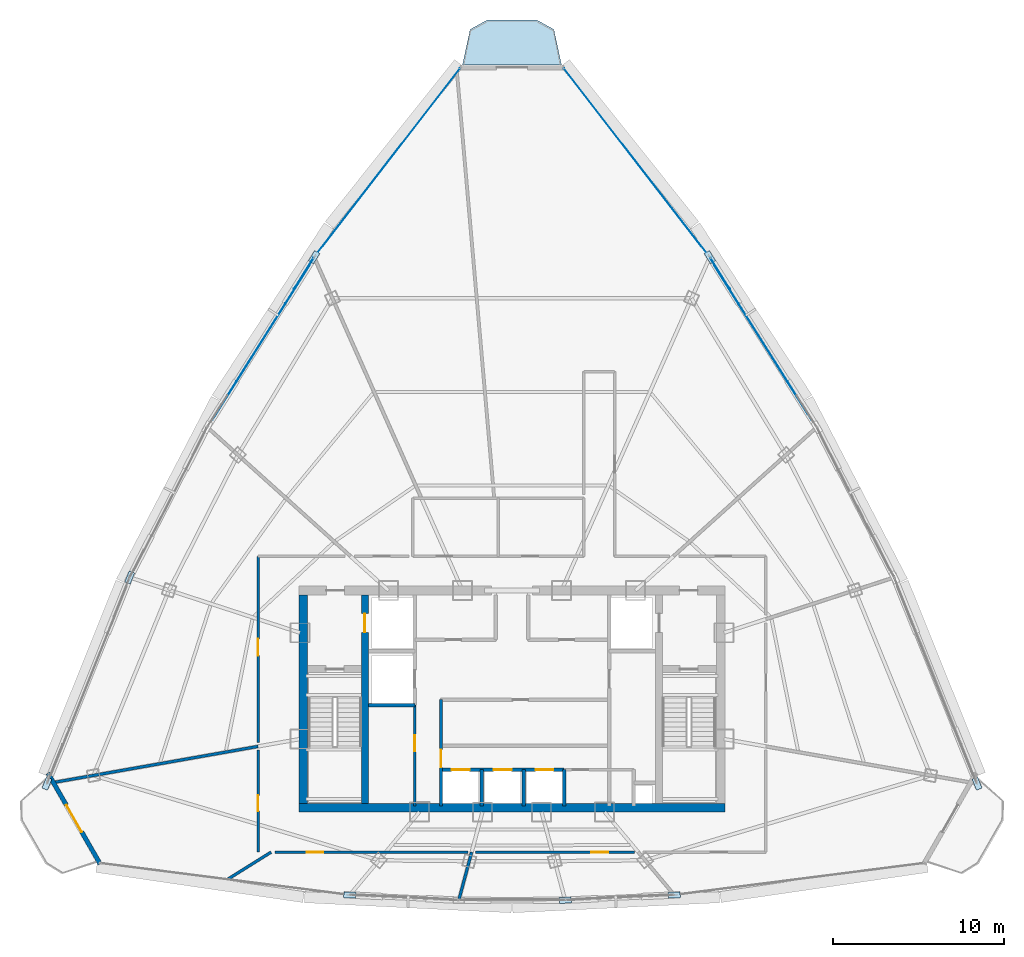
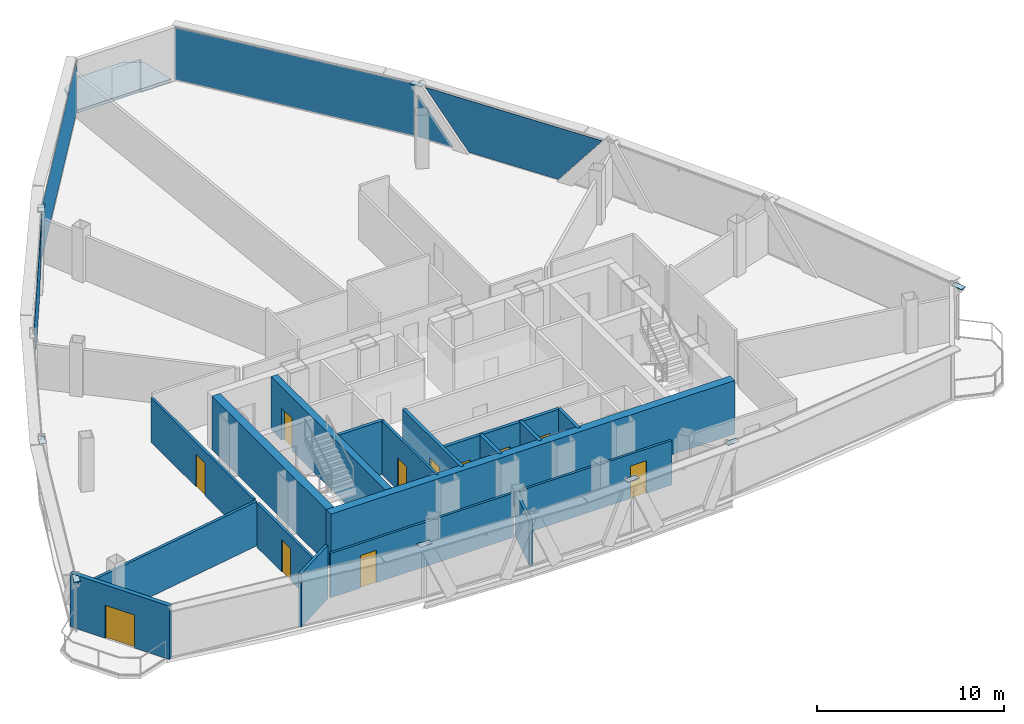
# One storey, part 25 of 30: 18 walls, 14 plates, 11 doors, 1 slab, 11 openings, 4 elements without a shape of their own.
"""IFC4 building model written with IfcOpenShell, lengths in metres."""

import ifcopenshell
import ifcopenshell.guid

model = None  # the IFC model being written
_history = None  # IfcOwnerHistory: only IFC2X3 demands one
_inside = {}  # id of a spatial element -> (the spatial element, [elements in it])
_under = {}  # id of a project, library or spatial element -> (it, [spatial elements below it])
_declared = {}  # id of a project -> (the project, [libraries it declares])
_typed = {}  # id of a type object -> (the type object, [elements of that type])
_made_of = {}  # id of a material, layer set ... -> (it, [elements and type objects made of it])


def new_model(schema):
    """Start an empty IFC model of exactly this schema.

    Asked for "IFC4X3", IfcOpenShell would pick the latest addendum, in which some entities
    have other attributes; the version numbers below select the first issue.
    IFC2X3 requires an IfcOwnerHistory on every rooted entity: one is made here for all.
    """
    global model, _history
    if schema == "IFC4X3":
        model = ifcopenshell.file(schema_version=(4, 3, 0, 0))
    else:
        model = ifcopenshell.file(schema=schema)
    _inside.clear()
    _under.clear()
    _declared.clear()
    _typed.clear()
    _made_of.clear()
    _history = None
    if model.schema == "IFC2X3":
        org = make("IfcOrganization", Name="unknown")
        user = make(
            "IfcPersonAndOrganization",
            ThePerson=make("IfcPerson", FamilyName="unknown"),
            TheOrganization=org,
        )
        app = make(
            "IfcApplication",
            ApplicationDeveloper=org,
            Version="unknown",
            ApplicationFullName="unknown",
            ApplicationIdentifier="unknown",
        )
        _history = make(
            "IfcOwnerHistory",
            OwningUser=user,
            OwningApplication=app,
            ChangeAction="ADDED",
            CreationDate=0,
        )
    return model


def make(cls, **values):
    """One entity of the class cls with the attributes given. An attribute that is None is left unset."""
    return model.create_entity(
        cls, **{name: value for name, value in values.items() if value is not None}
    )


def rooted(cls, **values):
    """An entity with a GlobalId (a new one), such as an element, a storey or a relation."""
    return make(cls, GlobalId=ifcopenshell.guid.new(), OwnerHistory=_history, **values)


def si_unit(unit_type, name, prefix=None):
    """IfcSIUnit, for example si_unit("LENGTHUNIT", "METRE", prefix="MILLI")."""
    return make("IfcSIUnit", UnitType=unit_type, Prefix=prefix, Name=name)


def assignment(units):
    """IfcUnitAssignment: the units of a project."""
    return None if units is None else make("IfcUnitAssignment", Units=units)


def point(xyz):
    """IfcCartesianPoint."""
    return None if xyz is None else make("IfcCartesianPoint", Coordinates=xyz)


def direction(xyz):
    """IfcDirection."""
    return None if xyz is None else make("IfcDirection", DirectionRatios=xyz)


def frame(location, z_axis=None, x_axis=None):
    """IfcAxis2Placement3D, a coordinate frame: its origin and axes. An axis left out is left unset."""
    return make(
        "IfcAxis2Placement3D",
        Location=point(location),
        Axis=direction(z_axis),
        RefDirection=direction(x_axis),
    )


def frame_2d(location, x_axis=None):
    """IfcAxis2Placement2D, a coordinate frame in the plane: its origin and x axis."""
    return make(
        "IfcAxis2Placement2D", Location=point(location), RefDirection=direction(x_axis)
    )


def origin():
    """The frame at (0, 0, 0) with its axes left unset."""
    return frame((0.0, 0.0, 0.0))


def origin_with_axes():
    """The frame at (0, 0, 0) with the z axis (0, 0, 1) and the x axis (1, 0, 0) written out."""
    return frame((0.0, 0.0, 0.0), z_axis=(0.0, 0.0, 1.0), x_axis=(1.0, 0.0, 0.0))


def origin_2d():
    """The frame at (0, 0) in the plane with its x axis left unset."""
    return frame_2d((0.0, 0.0))


def place(relative_to, where):
    """IfcLocalPlacement: puts the frame where relative to a parent placement (None: the world)."""
    return make(
        "IfcLocalPlacement", PlacementRelTo=relative_to, RelativePlacement=where
    )


def context(
    kind, dimensions, precision=None, world=None, true_north=None, identifier=None
):
    """IfcGeometricRepresentationContext, for example the 3D "Model" context."""
    return make(
        "IfcGeometricRepresentationContext",
        ContextIdentifier=identifier,
        ContextType=kind,
        CoordinateSpaceDimension=dimensions,
        Precision=precision,
        WorldCoordinateSystem=world,
        TrueNorth=true_north,
    )


def subcontext(parent, identifier, kind, view, scale=None):
    """IfcGeometricRepresentationSubContext, for example "Body" below "Model"."""
    return make(
        "IfcGeometricRepresentationSubContext",
        ContextIdentifier=identifier,
        ContextType=kind,
        ParentContext=parent,
        TargetScale=scale,
        TargetView=view,
    )


def project(units=None, contexts=None):
    """IfcProject with its units and contexts."""
    return rooted(
        "IfcProject",
        Name="project",
        RepresentationContexts=contexts,
        UnitsInContext=assignment(units),
    )


def spatial(cls, under=None, at=None, **own):
    """A site, building, storey or space (cls), placed at a placement, below another one or the project."""
    s = rooted(cls, ObjectPlacement=at, **own)
    if under is not None:
        _under.setdefault(under.id(), (under, []))[1].append(s)
    return s


def polyline(points):
    """IfcPolyline through the points."""
    return make("IfcPolyline", Points=[point(p) for p in points])


def profile(cls, at=None, kind="AREA", **sizes):
    """A parametric profile (cls). Its sizes go by their IFC names, for example OverallWidth=200.0."""
    return make(cls, ProfileType=kind, Position=at, **sizes)


def rectangle(**sizes):
    """IfcRectangleProfileDef."""
    return profile("IfcRectangleProfileDef", **sizes)


def outline(outer, holes=None, kind="AREA"):
    """IfcArbitraryClosedProfileDef: a profile drawn as a closed curve; with holes, ...WithVoids."""
    if holes is None:
        return make("IfcArbitraryClosedProfileDef", ProfileType=kind, OuterCurve=outer)
    return make(
        "IfcArbitraryProfileDefWithVoids",
        ProfileType=kind,
        OuterCurve=outer,
        InnerCurves=holes,
    )


def extrude(swept, where, along, depth):
    """IfcExtrudedAreaSolid: the profile swept, set in the frame where, extruded along a direction by depth."""
    return make(
        "IfcExtrudedAreaSolid",
        SweptArea=swept,
        Position=where,
        ExtrudedDirection=direction(along),
        Depth=depth,
    )


def shape(context_of_items, identifier, shape_type, items):
    """IfcShapeRepresentation: the items that make up one representation, for example the "Body"."""
    return make(
        "IfcShapeRepresentation",
        ContextOfItems=context_of_items,
        RepresentationIdentifier=identifier,
        RepresentationType=shape_type,
        Items=items,
    )


def source(mapping_origin, context_of_items, identifier, shape_type, items):
    """IfcRepresentationMap: a shape defined once, which mapped items show again and again."""
    return make(
        "IfcRepresentationMap",
        MappingOrigin=mapping_origin,
        MappedRepresentation=shape(context_of_items, identifier, shape_type, items),
    )


def transform(
    local_origin,
    x_axis=None,
    y_axis=None,
    z_axis=None,
    scale=None,
    scale2=None,
    scale3=None,
    uniform=True,
):
    """IfcCartesianTransformationOperator3D, or its non-uniform kind. x_axis, y_axis, z_axis: its Axis1, 2, 3."""
    if uniform:
        return make(
            "IfcCartesianTransformationOperator3D",
            Axis1=direction(x_axis),
            Axis2=direction(y_axis),
            LocalOrigin=point(local_origin),
            Scale=scale,
            Axis3=direction(z_axis),
        )
    return make(
        "IfcCartesianTransformationOperator3DnonUniform",
        Axis1=direction(x_axis),
        Axis2=direction(y_axis),
        LocalOrigin=point(local_origin),
        Scale=scale,
        Axis3=direction(z_axis),
        Scale2=scale2,
        Scale3=scale3,
    )


def mapped(mapping_source, mapping_target):
    """IfcMappedItem: shows the shape of a source again, moved by a transform."""
    return make(
        "IfcMappedItem", MappingSource=mapping_source, MappingTarget=mapping_target
    )


def material(Name=None, Category=None):
    """IfcMaterial."""
    return make("IfcMaterial", Name=Name, Category=Category)


def layer(
    of_material, thickness, ventilated=None, Name=None, Category=None, Priority=None
):
    """IfcMaterialLayer: one layer of a wall or slab, of a material (None: an air gap)."""
    return make(
        "IfcMaterialLayer",
        Material=of_material,
        LayerThickness=thickness,
        IsVentilated=ventilated,
        Name=Name,
        Category=Category,
        Priority=Priority,
    )


def layer_set(layers, Name=None):
    """IfcMaterialLayerSet."""
    return make("IfcMaterialLayerSet", MaterialLayers=layers, LayerSetName=Name)


def made_of(thing, what):
    """Note that an element or type object is made of a material, layer set ...; save() writes the relation."""
    if what is not None:
        _made_of.setdefault(what.id(), (what, []))[1].append(thing)
    return thing


def type_object(cls, material=None, **own):
    """A type object (cls), such as IfcWallType, which elements share."""
    return made_of(rooted(cls, **own), material)


def element(
    cls,
    number,
    at=None,
    inside=None,
    cuts=None,
    type_object=None,
    material=None,
    context=None,
    identifier="Body",
    shape_type=None,
    held_by="IfcProductDefinitionShape",
    body=None,
    shapes=None,
    **own,
):
    """One element of the class cls, such as IfcWall. Its Tag is "e" and its number.

    at: its placement. inside: the storey or other place that contains it. cuts: it is an
    opening in that element (IfcRelVoidsElement). A single representation is given by context,
    identifier, shape_type and body (its items); several are given by shapes. held_by: the class
    of the entity that holds the representations. save() writes the other relations.
    """
    e = rooted(cls, Tag="e%d" % number, ObjectPlacement=at, **own)
    if body is not None:
        shapes = [shape(context, identifier, shape_type, body)]
    if shapes is not None:
        e.Representation = make(held_by, Representations=shapes)
    if inside is not None:
        _inside.setdefault(inside.id(), (inside, []))[1].append(e)
    if cuts is not None:
        rooted(
            "IfcRelVoidsElement", RelatingBuildingElement=cuts, RelatedOpeningElement=e
        )
    if type_object is not None:
        _typed.setdefault(type_object.id(), (type_object, []))[1].append(e)
    return made_of(e, material)


def fill(opening, filler):
    """IfcRelFillsElement: the door or window that sits in an opening."""
    return rooted(
        "IfcRelFillsElement",
        RelatingOpeningElement=opening,
        RelatedBuildingElement=filler,
    )


def aggregate(whole, parts):
    """IfcRelAggregates: a whole, such as a stair, and the parts it consists of."""
    return rooted("IfcRelAggregates", RelatingObject=whole, RelatedObjects=parts)


def save(model, path):
    """Write the relations noted so far, then the file.

    IfcRelAggregates (storeys below a building ...), IfcRelContainedInSpatialStructure (elements
    in a storey), IfcRelDefinesByType, IfcRelAssociatesMaterial and IfcRelDeclares: one each for
    every whole, place, type object, material and project.
    """
    for whole, parts in _under.values():
        aggregate(whole, parts)
    for where, things in _inside.values():
        rooted(
            "IfcRelContainedInSpatialStructure",
            RelatedElements=things,
            RelatingStructure=where,
        )
    for kind, things in _typed.values():
        rooted("IfcRelDefinesByType", RelatedObjects=things, RelatingType=kind)
    for what, things in _made_of.values():
        rooted("IfcRelAssociatesMaterial", RelatedObjects=things, RelatingMaterial=what)
    for by, libraries in _declared.values():
        rooted("IfcRelDeclares", RelatingContext=by, RelatedDefinitions=libraries)
    model.write(path)


model = new_model("IFC4")

# Units and contexts
model_context = context("Model", 3, precision=1e-05, world=origin(), true_north=direction((0.0, 1.0)))
body_context = subcontext(model_context, "Body", "Model", "MODEL_VIEW")
ifc_project = project(units=[si_unit("LENGTHUNIT", "METRE"), si_unit("AREAUNIT", "SQUARE_METRE"), si_unit("VOLUMEUNIT", "CUBIC_METRE"), si_unit("PLANEANGLEUNIT", "RADIAN"), si_unit("MASSUNIT", "GRAM", prefix="KILO"), si_unit("THERMODYNAMICTEMPERATUREUNIT", "KELVIN"), si_unit("POWERUNIT", "WATT")], contexts=[model_context])

# Site, building, storey
site_placement = place(None, origin())
site = spatial("IfcSite", under=ifc_project, at=site_placement, CompositionType="ELEMENT")
building_placement = place(site_placement, origin())
building = spatial("IfcBuilding", under=site, at=building_placement, Name="Yunzhuo Pagoda Commons", CompositionType="ELEMENT")
storey_placement = place(building_placement, frame((0.0, 0.0, 348.010009765625)))
storey = spatial("IfcBuildingStorey", under=building, at=storey_placement, Name="L87", CompositionType="ELEMENT", Elevation=348.010009765625)

# Curtain wall, plates
ifc_material_1 = material(Name="Anodized aluminium 6063-T6", Category="aluminium")
ifc_layer_1 = layer(ifc_material_1, 0.139892578125)
ifc_layer_set_1 = layer_set([ifc_layer_1], Name="Anodized aluminium 6063-T6")
curtain_wall_type = type_object("IfcCurtainWallType", Name="CW-HI High-Zone Ribbon Curtain Wall", PredefinedType="NOTDEFINED", material=ifc_layer_set_1)
curtain_wall_1_placement = place(storey_placement, origin())
curtain_wall_1 = element("IfcCurtainWall", 1, at=curtain_wall_1_placement, inside=storey, type_object=curtain_wall_type, Name="L87 curtain wall CW-L87-F2B4", PredefinedType="NOTDEFINED")
ifc_material_2 = material(Name="Tempered low-e double glazing", Category="glass")
ifc_layer_2 = layer(ifc_material_2, 0.02587890625)
ifc_layer_set_2 = layer_set([ifc_layer_2], Name="Tempered low-e double glazing")
plate_type_1 = type_object("IfcPlateType", Name="CW-HI-P Low-E Double Glazing 26", PredefinedType="CURTAIN_PANEL", material=ifc_layer_set_2)
plate_1_placement = place(storey_placement, frame((62.6611328125, 54.69677734375, 1.744873046875), z_axis=(0.846524621891, 0.532349569861, 0.0), x_axis=(-0.532349569861, 0.846524621891, 0.0)))
plate_1 = element("IfcPlate", 2, at=plate_1_placement, type_object=plate_type_1, Name="CW panel 1.1 lite 2", PredefinedType="CURTAIN_PANEL", context=body_context, shape_type="SweptSolid", body=[
    extrude(outline(polyline([(-5.3466796875, 1.68994140625), (-2.7001953125, -1.68994140625), (2.7001953125, -1.68994140625), (5.3466796875, 1.68994140625), (-5.3466796875, 1.68994140625)])), origin(), (0.0, 0.0, 1.0), 0.028076171875),
])
plate_2_placement = place(storey_placement, frame((60.16357421875, 58.724365234375, 1.426025390625), z_axis=(0.846524621891, 0.532349569861, 0.0), x_axis=(-0.532349569861, 0.846524621891, 0.0)))
plate_2 = element("IfcPlate", 3, at=plate_2_placement, type_object=plate_type_1, Name="CW panel 1.1 lite 3", PredefinedType="CURTAIN_PANEL", context=body_context, shape_type="SweptSolid", body=[
    extrude(outline(polyline([(-1.073486328125, -1.37109375), (1.073486328125, -1.37109375), (1.073486328125, 1.37109375), (-1.073486328125, -1.37109375)])), origin(), (0.0, 0.0, 1.0), 0.028076171875),
])
aggregate(curtain_wall_1, [plate_1, plate_2])

curtain_wall_2_placement = place(storey_placement, origin())
curtain_wall_2 = element("IfcCurtainWall", 4, at=curtain_wall_2_placement, inside=storey, type_object=curtain_wall_type, Name="L87 curtain wall CW-L87-F3B2", PredefinedType="NOTDEFINED")
plate_3_placement = place(storey_placement, frame((35.83642578125, 58.724365234375, 1.426025390625), z_axis=(-0.846524621891, 0.532349569861, 0.0), x_axis=(-0.532349569861, -0.846524621891, 0.0)))
plate_3 = element("IfcPlate", 5, at=plate_3_placement, type_object=plate_type_1, Name="CW panel 1.1 lite 1", PredefinedType="CURTAIN_PANEL", context=body_context, shape_type="SweptSolid", body=[
    extrude(outline(polyline([(-1.073486328125, -1.37109375), (1.073486328125, -1.37109375), (-1.073486328125, 1.37109375), (-1.073486328125, -1.37109375)])), origin(), (0.0, 0.0, 1.0), 0.028076171875),
])
plate_4_placement = place(storey_placement, frame((33.3388671875, 54.69677734375, 1.744873046875), z_axis=(-0.846524621891, 0.532349569861, 0.0), x_axis=(-0.532349569861, -0.846524621891, 0.0)))
plate_4 = element("IfcPlate", 6, at=plate_4_placement, type_object=plate_type_1, Name="CW panel 1.1 lite 2", PredefinedType="CURTAIN_PANEL", context=body_context, shape_type="SweptSolid", body=[
    extrude(outline(polyline([(-5.3466796875, 1.68994140625), (-2.7001953125, -1.68994140625), (2.7001953125, -1.68994140625), (5.3466796875, 1.68994140625), (-5.3466796875, 1.68994140625)])), origin(), (0.0, 0.0, 1.0), 0.028076171875),
])
aggregate(curtain_wall_2, [plate_3, plate_4])

# Slab
ifc_material_3 = material(Name="Concrete C40", Category="concrete")
ifc_layer_3 = layer(ifc_material_3, 0.199951171875)
ifc_layer_set_3 = layer_set([ifc_layer_3], Name="Concrete C40")
slab_type = type_object("IfcSlabType", Name="SL-BAL Vertex Balcony Deck Slab 200", PredefinedType="FLOOR", material=ifc_layer_set_3)
slab_placement = place(storey_placement, frame((0.0, 0.0, -0.199951171875)))
element("IfcSlab", 7, at=slab_placement, inside=storey, type_object=slab_type, Name="L87 corner balcony V3", PredefinedType="FLOOR", context=body_context, shape_type="SweptSolid", body=[
    extrude(outline(polyline([(50.899169921875, 70.9140625), (45.100830078125, 70.9140625), (45.55078125, 73.009033203125), (46.55029296875, 73.55908203125), (49.44970703125, 73.55908203125), (50.44921875, 73.009033203125), (50.899169921875, 70.9140625)])), origin(), (0.0, 0.0, 1.0), 0.199951171875),
])

# Plates
ifc_material_4 = material(Name="Structural steel Q355B", Category="steel")
ifc_layer_4 = layer(ifc_material_4, 0.028076171875)
ifc_layer_set_4 = layer_set([ifc_layer_4], Name="Structural steel Q355B")
plate_type_2 = type_object("IfcPlateType", Name="SP-ND1 Lattice Node Cap Plate 800x500x28", PredefinedType="USERDEFINED", material=ifc_layer_set_4)
shared_shape_1 = source(origin(), body_context, "Body", "SweptSolid", [
    extrude(rectangle(XDim=0.699951171875, YDim=0.35009765625, at=origin_2d()), origin(), (0.0, 0.0, 1.0), 0.035888671875),
])
for number, where, z_axis, x_axis, name in (
    (8, (38.512451171875, 22.393310546875, 3.4521484375), (0.0, 0.0, 1.0), (0.998854240665, -0.047856095812, 0.0), "L87 setback lattice tie plate F1.1L"),
    (9, (51.111572265625, 22.087646484375, 3.4521484375), (0.0, 0.0, 1.0), (0.998854240665, 0.047856095812, 0.0), "L87 setback lattice tie plate F1.3L"),
    (10, (57.487548828125, 22.393310546875, 3.4521484375), (0.0, 0.0, 1.0), (0.998854240665, 0.047856095812, 0.0), "L87 setback lattice tie plate F1.3R"),
    (11, (75.193603515625, 28.905029296875, 3.4521484375), (0.0, 0.0, 1.0), (-0.372485720283, 0.928037923894, 0.0), "L87 setback lattice tie plate F2.1L"),
    (12, (59.572265625, 59.69140625, 3.4521484375), (0.0, 0.0, 1.0), (-0.532344492073, 0.846527815113, 0.0), "L87 setback lattice tie plate F2.3R"),
    (13, (36.427734375, 59.69140625, 3.4521484375), (0.0, 0.0, 1.0), (-0.532344492073, -0.846527815113, 0.0), "L87 setback lattice tie plate F3.1L"),
    (14, (25.646240234375, 40.963134765625, 3.4521484375), (0.0, 0.0, 1.0), (-0.372485720283, -0.928037923894, 0.0), "L87 setback lattice tie plate F3.3L"),
    (15, (20.806396484375, 28.905029296875, 3.4521484375), (0.0, 0.0, 1.0), (-0.372485720283, -0.928037923894, 0.0), "L87 setback lattice tie plate F3.3R"),
):
    element("IfcPlate", number, at=place(storey_placement, frame(where, z_axis=z_axis, x_axis=x_axis)), inside=storey, type_object=plate_type_2, Name=name, ObjectType="STIFFENER_PLATE", PredefinedType="USERDEFINED", context=body_context, shape_type="MappedRepresentation", body=[
        mapped(shared_shape_1, transform((0.0, 0.0, 0.0), scale=1.0)),
    ])

# Curtain wall, plate
curtain_wall_3_placement = place(storey_placement, origin())
curtain_wall_3 = element("IfcCurtainWall", 16, at=curtain_wall_3_placement, inside=storey, type_object=curtain_wall_type, Name="L87 curtain wall CW-L87-F2B5", PredefinedType="NOTDEFINED")
shared_shape_2 = source(origin(), body_context, "Body", "SweptSolid", [
    extrude(rectangle(XDim=13.823486328125, YDim=0.028076171875, at=origin_2d()), origin(), (0.0, 0.0, 1.0), 3.3798828125),
])
plate_5_placement = place(storey_placement, frame((55.26025390625, 65.264892578125, 0.054931640625), z_axis=(0.0, 0.0, 1.0), x_axis=(-0.611910329378, 0.790927145065, 0.0)))
plate_5 = element("IfcPlate", 17, at=plate_5_placement, type_object=plate_type_1, Name="CW panel 1.1", PredefinedType="CURTAIN_PANEL", context=body_context, shape_type="MappedRepresentation", body=[
    mapped(shared_shape_2, transform((0.0, 0.0, 0.0), scale=1.0)),
])
aggregate(curtain_wall_3, [plate_5])

curtain_wall_4_placement = place(storey_placement, origin())
curtain_wall_4 = element("IfcCurtainWall", 18, at=curtain_wall_4_placement, inside=storey, type_object=curtain_wall_type, Name="L87 curtain wall CW-L87-F3B1", PredefinedType="NOTDEFINED")
plate_6_placement = place(storey_placement, frame((40.73974609375, 65.264892578125, 0.054931640625), z_axis=(0.0, 0.0, 1.0), x_axis=(-0.611910329378, -0.790927145065, 0.0)))
plate_6 = element("IfcPlate", 19, at=plate_6_placement, type_object=plate_type_1, Name="CW panel 1.1", PredefinedType="CURTAIN_PANEL", context=body_context, shape_type="MappedRepresentation", body=[
    mapped(shared_shape_2, transform((0.0, 0.0, 0.0), scale=1.0)),
])
aggregate(curtain_wall_4, [plate_6])

# Wall, opening, door
ifc_material_5 = material(Name="Precast concrete C40", Category="concrete")
ifc_layer_5 = layer(ifc_material_5, 0.260009765625)
ifc_layer_set_5 = layer_set([ifc_layer_5], Name="Precast concrete C40")
wall_type_1 = type_object("IfcWallType", Name="W-BAL1 Corner Balcony Threshold Wall 260", PredefinedType="STANDARD", material=ifc_layer_set_5)
wall_1_placement = place(storey_placement, frame((20.865478515625, 29.521240234375, 0.0), z_axis=(0.0, 0.0, 1.0), x_axis=(0.49795859982, -0.867200803082, 0.0)))
wall_1 = element("IfcWall", 20, at=wall_1_placement, inside=storey, type_object=wall_type_1, Name="L87 corner balcony wall V1", PredefinedType="STANDARD", context=body_context, shape_type="SweptSolid", body=[
    extrude(rectangle(XDim=6.12255859375, YDim=0.260009765625, at=frame_2d((3.061279296875, 0.0))), origin(), (0.0, 0.0, 1.0), 3.489990234375),
])
opening_1_placement = place(wall_1_placement, frame((2.161376953125, 0.0, 0.0)))
opening_1 = element("IfcOpeningElement", 21, at=opening_1_placement, cuts=wall_1, Name="Opening D-BAL1", PredefinedType="OPENING", context=body_context, shape_type="SweptSolid", body=[
    extrude(rectangle(XDim=1.800048828125, YDim=2.14990234375, at=frame_2d((0.89990234375, 1.074951171875))), frame((0.0, 0.14013671875, 0.0), z_axis=(0.0, -1.0, 0.0), x_axis=(1.0, 0.0, 0.0)), (0.0, 0.0, 1.0), 0.280029296875),
])
ifc_material_6 = material(Name="Anodized aluminium frame and tempered glazed leaf", Category="aluminium")
door_type_1 = type_object("IfcDoorType", Name="D-BAL1 Corner Balcony Sliding Glazed Door 1800x2150", OperationType="DOUBLE_DOOR_SLIDING", PredefinedType="DOOR", material=ifc_material_6)
shared_shape_3 = source(origin(), body_context, "Body", "SweptSolid", [
    extrude(rectangle(XDim=1.800048828125, YDim=2.14990234375, at=frame_2d((0.89990234375, 1.074951171875))), frame((0.0, 0.02490234375, 0.0), z_axis=(0.0, -1.0, 0.0), x_axis=(1.0, 0.0, 0.0)), (0.0, 0.0, 1.0), 0.050048828125),
])
door_1_placement = place(opening_1_placement, origin_with_axes())
door_1 = element("IfcDoor", 22, at=door_1_placement, inside=storey, type_object=door_type_1, Name="L87 corner balcony sliding door V1", OperationType="DOUBLE_DOOR_SLIDING", OverallHeight=2.14990234375, OverallWidth=1.800048828125, PredefinedType="DOOR", context=body_context, shape_type="MappedRepresentation", body=[
    mapped(shared_shape_3, transform((0.0, 0.0, 0.0), scale=1.0)),
])
fill(opening_1, door_1)

# Walls
ifc_material_7 = material(Name="Concrete C50", Category="concrete")
ifc_layer_6 = layer(ifc_material_7, 0.5)
ifc_layer_set_6 = layer_set([ifc_layer_6], Name="Concrete C50")
wall_type_2 = type_object("IfcWallType", Name="W-C03 Upper Core Shear Wall 500", PredefinedType="SHEAR", material=ifc_layer_set_6)
wall_2_placement = place(storey_placement, frame((35.550048828125, 27.5, 0.0), z_axis=(0.0, 0.0, 1.0), x_axis=(1.0, 0.0, 0.0)))
element("IfcWall", 23, at=wall_2_placement, inside=storey, type_object=wall_type_2, Name="L87 core shear wall S", PredefinedType="SHEAR", context=body_context, shape_type="SweptSolid", body=[
    extrude(rectangle(XDim=24.89990234375, YDim=0.5, at=frame_2d((12.449951171875, 0.0))), origin(), (0.0, 0.0, 1.0), 3.489990234375),
])
wall_3_placement = place(storey_placement, frame((35.800048828125, 27.75, 0.0), z_axis=(0.0, 0.0, 1.0), x_axis=(0.0, 1.0, 0.0)))
element("IfcWall", 24, at=wall_3_placement, inside=storey, type_object=wall_type_2, Name="L87 core shear wall W", PredefinedType="SHEAR", context=body_context, shape_type="SweptSolid", body=[
    extrude(rectangle(XDim=12.199951171875, YDim=0.5, at=frame_2d((6.10009765625, 0.0))), origin(), (0.0, 0.0, 1.0), 3.489990234375),
])

# Wall, opening, door
ifc_material_8 = material(Name="Gypsum plasterboard on acoustic stud")
ifc_layer_7 = layer(ifc_material_8, 0.14990234375)
ifc_layer_set_7 = layer_set([ifc_layer_7], Name="Gypsum plasterboard on acoustic stud")
wall_type_3 = type_object("IfcWallType", Name="W-COR3 High-Zone Rated Corridor Wall 150", PredefinedType="PARTITIONING", material=ifc_layer_set_7)
wall_4_placement = place(storey_placement, frame((42.320068359375, 27.60009765625, 0.0), z_axis=(0.0, 0.0, 1.0), x_axis=(0.0, 1.0, 0.0)))
wall_4 = element("IfcWall", 25, at=wall_4_placement, inside=storey, type_object=wall_type_3, Name="L87 interior wall IW-L87-CSWE", PredefinedType="PARTITIONING", context=body_context, shape_type="SweptSolid", body=[
    extrude(rectangle(XDim=5.89990234375, YDim=0.14990234375, at=frame_2d((2.949951171875, 0.0))), origin(), (0.0, 0.0, 1.0), 3.489990234375),
])
opening_2_placement = place(wall_4_placement, frame((3.199951171875, 0.0, 0.0)))
opening_2 = element("IfcOpeningElement", 26, at=opening_2_placement, cuts=wall_4, Name="Opening D-11", PredefinedType="OPENING", context=body_context, shape_type="SweptSolid", body=[
    extrude(rectangle(XDim=0.93994140625, YDim=2.10009765625, at=frame_2d((0.469970703125, 1.050048828125))), frame((0.0, 0.0849609375, 0.0), z_axis=(0.0, -1.0, 0.0), x_axis=(1.0, 0.0, 0.0)), (0.0, 0.0, 1.0), 0.169921875),
])
ifc_material_9 = material(Name="Galvanized fire-resisting metal leaf")
door_type_2 = type_object("IfcDoorType", Name="D-11 Accessible Washroom Fire Door 940x2100", OperationType="NOTDEFINED", PredefinedType="DOOR", material=ifc_material_9)
shared_shape_4 = source(origin(), body_context, "Body", "SweptSolid", [
    extrude(rectangle(XDim=0.93994140625, YDim=2.10009765625, at=frame_2d((0.469970703125, 1.050048828125))), frame((0.0, 0.02490234375, 0.0), z_axis=(0.0, -1.0, 0.0), x_axis=(1.0, 0.0, 0.0)), (0.0, 0.0, 1.0), 0.050048828125),
])
door_2_placement = place(opening_2_placement, origin_with_axes())
door_2 = element("IfcDoor", 27, at=door_2_placement, inside=storey, type_object=door_type_2, Name="L87 core WC door", OperationType="SINGLE_SWING_LEFT", OverallHeight=2.10009765625, OverallWidth=0.93994140625, PredefinedType="DOOR", context=body_context, shape_type="MappedRepresentation", body=[
    mapped(shared_shape_4, transform((0.0, 0.0, 0.0), scale=1.0)),
])
fill(opening_2, door_2)

wall_5_placement = place(storey_placement, frame((33.14990234375, 24.89990234375, 0.0), z_axis=(0.0, 0.0, 1.0), x_axis=(0.0, 1.0, 0.0)))
wall_5 = element("IfcWall", 28, at=wall_5_placement, inside=storey, type_object=wall_type_3, Name="L87 interior wall IW-L87-CWL01", PredefinedType="PARTITIONING", context=body_context, shape_type="SweptSolid", body=[
    extrude(rectangle(XDim=5.958251953125, YDim=0.14990234375, at=frame_2d((2.97900390625, 0.0))), origin(), (0.0, 0.0, 1.0), 2.889892578125),
])
opening_3_placement = place(wall_5_placement, frame((2.400634765625, 0.0, 0.0)))
opening_3 = element("IfcOpeningElement", 29, at=opening_3_placement, cuts=wall_5, Name="Opening D-04", PredefinedType="OPENING", context=body_context, shape_type="SweptSolid", body=[
    extrude(rectangle(XDim=0.919921875, YDim=2.10009765625, at=frame_2d((0.4599609375, 1.050048828125))), frame((0.0, 0.0849609375, 0.0), z_axis=(0.0, -1.0, 0.0), x_axis=(1.0, 0.0, 0.0)), (0.0, 0.0, 1.0), 0.169921875),
])
ifc_material_10 = material(Name="Powder-coated aluminium and timber acoustic leaf", Category="wood")
door_type_3 = type_object("IfcDoorType", Name="D-04 Bedroom & Study Interior Door 920x2100", OperationType="NOTDEFINED", PredefinedType="DOOR", material=ifc_material_10)
shared_shape_5 = source(origin(), body_context, "Body", "SweptSolid", [
    extrude(rectangle(XDim=0.919921875, YDim=2.10009765625, at=frame_2d((0.4599609375, 1.050048828125))), frame((0.0, 0.02490234375, 0.0), z_axis=(0.0, -1.0, 0.0), x_axis=(1.0, 0.0, 0.0)), (0.0, 0.0, 1.0), 0.050048828125),
])
door_3_placement = place(opening_3_placement, origin_with_axes())
door_3 = element("IfcDoor", 30, at=door_3_placement, inside=storey, type_object=door_type_3, Name="L87 seminar room 07 door", OperationType="SINGLE_SWING_LEFT", OverallHeight=2.10009765625, OverallWidth=0.919921875, PredefinedType="DOOR", context=body_context, shape_type="MappedRepresentation", body=[
    mapped(shared_shape_5, transform((0.0, 0.0, 0.0), scale=1.0)),
])
fill(opening_3, door_3)

wall_6_placement = place(storey_placement, frame((33.14990234375, 31.30126953125, 0.0), z_axis=(0.0, 0.0, 1.0), x_axis=(0.0, 1.0, 0.0)))
wall_6 = element("IfcWall", 31, at=wall_6_placement, inside=storey, type_object=wall_type_3, Name="L87 interior wall IW-L87-CWL02", PredefinedType="PARTITIONING", context=body_context, shape_type="SweptSolid", body=[
    extrude(rectangle(XDim=10.898681640625, YDim=0.14990234375, at=frame_2d((5.44921875, 0.0))), origin(), (0.0, 0.0, 1.0), 2.889892578125),
])
opening_4_placement = place(wall_6_placement, frame((5.094482421875, 0.0, 0.0)))
opening_4 = element("IfcOpeningElement", 32, at=opening_4_placement, cuts=wall_6, Name="Opening D-08", PredefinedType="OPENING", context=body_context, shape_type="SweptSolid", body=[
    extrude(rectangle(XDim=0.97998046875, YDim=2.1201171875, at=frame_2d((0.489990234375, 1.06005859375))), frame((0.0, 0.0849609375, 0.0), z_axis=(0.0, -1.0, 0.0), x_axis=(1.0, 0.0, 0.0)), (0.0, 0.0, 1.0), 0.169921875),
])
door_type_4 = type_object("IfcDoorType", Name="D-08 High-Zone Suite Entrance Fire Door 980x2120", OperationType="NOTDEFINED", PredefinedType="DOOR", material=ifc_material_9)
shared_shape_6 = source(origin(), body_context, "Body", "SweptSolid", [
    extrude(rectangle(XDim=0.97998046875, YDim=2.1201171875, at=frame_2d((0.489990234375, 1.06005859375))), frame((0.0, 0.02490234375, 0.0), z_axis=(0.0, -1.0, 0.0), x_axis=(1.0, 0.0, 0.0)), (0.0, 0.0, 1.0), 0.050048828125),
])
door_4_placement = place(opening_4_placement, origin_with_axes())
door_4 = element("IfcDoor", 33, at=door_4_placement, inside=storey, type_object=door_type_4, Name="L87 Resident Co-Living Commons Hall door", OperationType="SINGLE_SWING_RIGHT", OverallHeight=2.1201171875, OverallWidth=0.97998046875, PredefinedType="DOOR", context=body_context, shape_type="MappedRepresentation", body=[
    mapped(shared_shape_6, transform((0.0, 0.0, 0.0), scale=1.0)),
])
fill(opening_4, door_4)

wall_7_placement = place(storey_placement, frame((55.164306640625, 24.89990234375, 0.0), z_axis=(0.0, 0.0, 1.0), x_axis=(-1.0, 0.0, 0.0)))
wall_7 = element("IfcWall", 34, at=wall_7_placement, inside=storey, type_object=wall_type_3, Name="L87 interior wall IW-L87-CWL14", PredefinedType="PARTITIONING", context=body_context, shape_type="SweptSolid", body=[
    extrude(rectangle(XDim=9.302490234375, YDim=0.14990234375, at=frame_2d((4.6513671875, 0.0))), origin(), (0.0, 0.0, 1.0), 2.889892578125),
])
opening_5_placement = place(wall_7_placement, frame((1.55029296875, 0.0, 0.0)))
opening_5 = element("IfcOpeningElement", 35, at=opening_5_placement, cuts=wall_7, Name="Opening D-08", PredefinedType="OPENING", context=body_context, shape_type="SweptSolid", body=[
    extrude(rectangle(XDim=0.97998046875, YDim=2.1201171875, at=frame_2d((0.489990234375, 1.06005859375))), frame((0.0, 0.0849609375, 0.0), z_axis=(0.0, -1.0, 0.0), x_axis=(1.0, 0.0, 0.0)), (0.0, 0.0, 1.0), 0.169921875),
])
door_5_placement = place(opening_5_placement, origin_with_axes())
door_5 = element("IfcDoor", 36, at=door_5_placement, inside=storey, type_object=door_type_4, Name="L87 Academic Reading Commons 3 door", OperationType="SINGLE_SWING_LEFT", OverallHeight=2.1201171875, OverallWidth=0.97998046875, PredefinedType="DOOR", context=body_context, shape_type="MappedRepresentation", body=[
    mapped(shared_shape_6, transform((0.0, 0.0, 0.0), scale=1.0)),
])
fill(opening_5, door_5)

wall_8_placement = place(storey_placement, frame((45.414306640625, 24.89990234375, 0.0), z_axis=(0.0, 0.0, 1.0), x_axis=(-1.0, 0.0, 0.0)))
wall_8 = element("IfcWall", 37, at=wall_8_placement, inside=storey, type_object=wall_type_3, Name="L87 interior wall IW-L87-CWL15", PredefinedType="PARTITIONING", context=body_context, shape_type="SweptSolid", body=[
    extrude(rectangle(XDim=11.27734375, YDim=0.14990234375, at=frame_2d((5.638671875, 0.0))), origin(), (0.0, 0.0, 1.0), 2.889892578125),
])
opening_6_placement = place(wall_8_placement, frame((8.450439453125, 0.0, 0.0)))
opening_6 = element("IfcOpeningElement", 38, at=opening_6_placement, cuts=wall_8, Name="Opening D-08", PredefinedType="OPENING", context=body_context, shape_type="SweptSolid", body=[
    extrude(rectangle(XDim=0.97998046875, YDim=2.1201171875, at=frame_2d((0.489990234375, 1.06005859375))), frame((0.0, 0.0849609375, 0.0), z_axis=(0.0, -1.0, 0.0), x_axis=(1.0, 0.0, 0.0)), (0.0, 0.0, 1.0), 0.169921875),
])
door_6_placement = place(opening_6_placement, origin_with_axes())
door_6 = element("IfcDoor", 39, at=door_6_placement, inside=storey, type_object=door_type_4, Name="L87 Academic Reading Commons 2 door", OperationType="SINGLE_SWING_RIGHT", OverallHeight=2.1201171875, OverallWidth=0.97998046875, PredefinedType="DOOR", context=body_context, shape_type="MappedRepresentation", body=[
    mapped(shared_shape_6, transform((0.0, 0.0, 0.0), scale=1.0)),
])
fill(opening_6, door_6)

# Walls
ifc_layer_8 = layer(ifc_material_8, 0.169921875)
ifc_layer_set_8 = layer_set([ifc_layer_8], Name="Gypsum plasterboard on acoustic stud")
wall_type_4 = type_object("IfcWallType", Name="W-PRT4 High-Zone Demising Wall 170", PredefinedType="PARTITIONING", material=ifc_layer_set_8)
wall_9_placement = place(storey_placement, frame((33.14990234375, 31.08154296875, 0.0), z_axis=(0.0, 0.0, 1.0), x_axis=(-0.984808019511, -0.173646666272, 0.0)))
element("IfcWall", 40, at=wall_9_placement, inside=storey, type_object=wall_type_4, Name="L87 interior wall IW-L87-RAD06", PredefinedType="PARTITIONING", context=body_context, shape_type="SweptSolid", body=[
    extrude(rectangle(XDim=12.153076171875, YDim=0.169921875, at=frame_2d((6.07666015625, 0.0))), origin(), (0.0, 0.0, 1.0), 2.889892578125),
])
wall_10_placement = place(storey_placement, frame((33.9169921875, 24.89990234375, 0.0), z_axis=(0.0, 0.0, 1.0), x_axis=(-0.848039321644, -0.52993330613, 0.0)))
element("IfcWall", 41, at=wall_10_placement, inside=storey, type_object=wall_type_4, Name="L87 interior wall IW-L87-RAD07", PredefinedType="PARTITIONING", context=body_context, shape_type="SweptSolid", body=[
    extrude(rectangle(XDim=3.00927734375, YDim=0.169921875, at=frame_2d((1.504638671875, 0.0))), origin(), (0.0, 0.0, 1.0), 3.489990234375),
])
wall_11_placement = place(storey_placement, frame((45.64208984375, 24.89990234375, 0.0), z_axis=(0.0, 0.0, 1.0), x_axis=(-0.258857635458, -0.965915485208, 0.0)))
element("IfcWall", 42, at=wall_11_placement, inside=storey, type_object=wall_type_4, Name="L87 interior wall IW-L87-RAD08", PredefinedType="PARTITIONING", context=body_context, shape_type="SweptSolid", body=[
    extrude(rectangle(XDim=2.911376953125, YDim=0.169921875, at=frame_2d((1.45556640625, 0.0))), origin(), (0.0, 0.0, 1.0), 2.889892578125),
])

# Wall, opening, door
ifc_material_11 = material(Name="Concrete C60", Category="concrete")
ifc_layer_9 = layer(ifc_material_11, 0.39990234375)
ifc_layer_set_9 = layer_set([ifc_layer_9], Name="Concrete C60")
wall_type_5 = type_object("IfcWallType", Name="W-S01 Internal Core Shear Web 400", PredefinedType="SHEAR", material=ifc_layer_set_9)
wall_12_placement = place(storey_placement, frame((39.39990234375, 27.75, 0.0), z_axis=(0.0, 0.0, 1.0), x_axis=(0.0, 1.0, 0.0)))
wall_12 = element("IfcWall", 43, at=wall_12_placement, inside=storey, type_object=wall_type_5, Name="L87 core shear wall WEBW", PredefinedType="SHEAR", context=body_context, shape_type="SweptSolid", body=[
    extrude(rectangle(XDim=12.199951171875, YDim=0.39990234375, at=frame_2d((6.10009765625, 0.0))), origin(), (0.0, 0.0, 1.0), 3.489990234375),
])
opening_7_placement = place(wall_12_placement, frame((10.0, 0.0, 0.0)))
opening_7 = element("IfcOpeningElement", 44, at=opening_7_placement, cuts=wall_12, Name="Opening LD-01", PredefinedType="OPENING", context=body_context, shape_type="SweptSolid", body=[
    extrude(rectangle(XDim=1.10009765625, YDim=2.10009765625, at=frame_2d((0.550048828125, 1.050048828125))), frame((0.0, 0.2099609375, 0.0), z_axis=(0.0, -1.0, 0.0), x_axis=(1.0, 0.0, 0.0)), (0.0, 0.0, 1.0), 0.419921875),
])
door_type_5 = type_object("IfcDoorType", Name="LD-01 Firefighting Lift Landing Door 1100x2100", OperationType="DOUBLE_DOOR_SLIDING", PredefinedType="DOOR", material=ifc_material_9)
shared_shape_7 = source(origin(), body_context, "Body", "SweptSolid", [
    extrude(rectangle(XDim=1.10009765625, YDim=2.10009765625, at=frame_2d((0.550048828125, 1.050048828125))), frame((0.0, 0.02490234375, 0.0), z_axis=(0.0, -1.0, 0.0), x_axis=(1.0, 0.0, 0.0)), (0.0, 0.0, 1.0), 0.050048828125),
])
door_7_placement = place(opening_7_placement, frame((1.10009765625, 0.0, 0.0), z_axis=(0.0, 0.0, 1.0), x_axis=(-1.0, 0.0, 0.0)))
door_7 = element("IfcDoor", 45, at=door_7_placement, inside=storey, type_object=door_type_5, Name="L87 Firefighting lift FL-1 landing door", OperationType="DOUBLE_DOOR_SLIDING", OverallHeight=2.10009765625, OverallWidth=1.10009765625, PredefinedType="DOOR", context=body_context, shape_type="MappedRepresentation", body=[
    mapped(shared_shape_7, transform((0.0, 0.0, 0.0), scale=1.0)),
])
fill(opening_7, door_7)

# Wall
ifc_layer_10 = layer(ifc_material_3, 0.199951171875)
ifc_layer_set_10 = layer_set([ifc_layer_10], Name="Concrete C40")
wall_type_6 = type_object("IfcWallType", Name="W-SHF Shaft & Stair Enclosure Wall 200", PredefinedType="SOLIDWALL", material=ifc_layer_set_10)
wall_13_placement = place(storey_placement, frame((39.60009765625, 33.5, 0.0), z_axis=(0.0, 0.0, 1.0), x_axis=(1.0, 0.0, 0.0)))
element("IfcWall", 46, at=wall_13_placement, inside=storey, type_object=wall_type_6, Name="L87 interior wall IW-L87-SL1S", PredefinedType="SOLIDWALL", context=body_context, shape_type="SweptSolid", body=[
    extrude(rectangle(XDim=2.719970703125, YDim=0.199951171875, at=frame_2d((1.35986328125, 0.0))), origin(), (0.0, 0.0, 1.0), 3.489990234375),
])

# Wall, opening, door
wall_14_placement = place(storey_placement, frame((43.85009765625, 27.60009765625, 0.0), z_axis=(0.0, 0.0, 1.0), x_axis=(0.0, 1.0, 0.0)))
wall_14 = element("IfcWall", 47, at=wall_14_placement, inside=storey, type_object=wall_type_6, Name="L87 interior wall IW-L87-PLMW", PredefinedType="SOLIDWALL", context=body_context, shape_type="SweptSolid", body=[
    extrude(rectangle(XDim=6.219970703125, YDim=0.199951171875, at=frame_2d((3.10986328125, 0.0))), origin(), (0.0, 0.0, 1.0), 3.489990234375),
])
opening_8_placement = place(wall_14_placement, frame((2.25, 0.0, 0.0)))
opening_8 = element("IfcOpeningElement", 48, at=opening_8_placement, cuts=wall_14, Name="Opening D-02", PredefinedType="OPENING", context=body_context, shape_type="SweptSolid", body=[
    extrude(rectangle(XDim=1.050048828125, YDim=2.10009765625, at=frame_2d((0.52490234375, 1.050048828125))), frame((0.0, 0.10986328125, 0.0), z_axis=(0.0, -1.0, 0.0), x_axis=(1.0, 0.0, 0.0)), (0.0, 0.0, 1.0), 0.219970703125),
])
door_type_6 = type_object("IfcDoorType", Name="D-02 Firefighting Lobby & Refuge Fire Door 1050x2100", OperationType="NOTDEFINED", PredefinedType="DOOR", material=ifc_material_9)
shared_shape_8 = source(origin(), body_context, "Body", "SweptSolid", [
    extrude(rectangle(XDim=1.050048828125, YDim=2.10009765625, at=frame_2d((0.52490234375, 1.050048828125))), frame((0.0, 0.02490234375, 0.0), z_axis=(0.0, -1.0, 0.0), x_axis=(1.0, 0.0, 0.0)), (0.0, 0.0, 1.0), 0.050048828125),
])
door_8_placement = place(opening_8_placement, frame((1.050048828125, 0.0, 0.0), z_axis=(0.0, 0.0, 1.0), x_axis=(-1.0, 0.0, 0.0)))
door_8 = element("IfcDoor", 49, at=door_8_placement, inside=storey, type_object=door_type_6, Name="L87 High-bank hall west door", OperationType="SINGLE_SWING_LEFT", OverallHeight=2.10009765625, OverallWidth=1.050048828125, PredefinedType="DOOR", context=body_context, shape_type="MappedRepresentation", body=[
    mapped(shared_shape_8, transform((0.0, 0.0, 0.0), scale=1.0)),
])
fill(opening_8, door_8)

# Wall, openings, doors
wall_15_placement = place(storey_placement, frame((43.85009765625, 29.719970703125, 0.0), z_axis=(0.0, 0.0, 1.0), x_axis=(1.0, 0.0, 0.0)))
wall_15 = element("IfcWall", 50, at=wall_15_placement, inside=storey, type_object=wall_type_6, Name="L87 interior wall IW-L87-PLHN", PredefinedType="SOLIDWALL", context=body_context, shape_type="SweptSolid", body=[
    extrude(rectangle(XDim=7.199951171875, YDim=0.199951171875, at=frame_2d((3.60009765625, 0.0))), origin(), (0.0, 0.0, 1.0), 3.489990234375),
])
opening_9_placement = place(wall_15_placement, frame((0.625, 0.0, 0.0)))
opening_9 = element("IfcOpeningElement", 51, at=opening_9_placement, cuts=wall_15, Name="Opening LD-02", PredefinedType="OPENING", context=body_context, shape_type="SweptSolid", body=[
    extrude(rectangle(XDim=1.050048828125, YDim=2.10009765625, at=frame_2d((0.52490234375, 1.050048828125))), frame((0.0, 0.10986328125, 0.0), z_axis=(0.0, -1.0, 0.0), x_axis=(1.0, 0.0, 0.0)), (0.0, 0.0, 1.0), 0.219970703125),
])
opening_10_placement = place(wall_15_placement, frame((3.074951171875, 0.0, 0.0)))
opening_10 = element("IfcOpeningElement", 52, at=opening_10_placement, cuts=wall_15, Name="Opening LD-02", PredefinedType="OPENING", context=body_context, shape_type="SweptSolid", body=[
    extrude(rectangle(XDim=1.050048828125, YDim=2.10009765625, at=frame_2d((0.52490234375, 1.050048828125))), frame((0.0, 0.10986328125, 0.0), z_axis=(0.0, -1.0, 0.0), x_axis=(1.0, 0.0, 0.0)), (0.0, 0.0, 1.0), 0.219970703125),
])
opening_11_placement = place(wall_15_placement, frame((5.52490234375, 0.0, 0.0)))
opening_11 = element("IfcOpeningElement", 53, at=opening_11_placement, cuts=wall_15, Name="Opening LD-02", PredefinedType="OPENING", context=body_context, shape_type="SweptSolid", body=[
    extrude(rectangle(XDim=1.050048828125, YDim=2.10009765625, at=frame_2d((0.52490234375, 1.050048828125))), frame((0.0, 0.10986328125, 0.0), z_axis=(0.0, -1.0, 0.0), x_axis=(1.0, 0.0, 0.0)), (0.0, 0.0, 1.0), 0.219970703125),
])
door_type_7 = type_object("IfcDoorType", Name="LD-02 Passenger Lift Landing Door 1050x2100", OperationType="DOUBLE_DOOR_SLIDING", PredefinedType="DOOR", material=ifc_material_9)
door_9_placement = place(opening_9_placement, origin_with_axes())
door_9 = element("IfcDoor", 54, at=door_9_placement, inside=storey, type_object=door_type_7, Name="L87 Passenger lift PL-H1 landing door", OperationType="DOUBLE_DOOR_SLIDING", OverallHeight=2.10009765625, OverallWidth=1.050048828125, PredefinedType="DOOR", context=body_context, shape_type="MappedRepresentation", body=[
    mapped(shared_shape_8, transform((0.0, 0.0, 0.0), scale=1.0)),
])
fill(opening_9, door_9)
door_10_placement = place(opening_10_placement, origin_with_axes())
door_10 = element("IfcDoor", 55, at=door_10_placement, inside=storey, type_object=door_type_7, Name="L87 Passenger lift PL-H2 landing door", OperationType="DOUBLE_DOOR_SLIDING", OverallHeight=2.10009765625, OverallWidth=1.050048828125, PredefinedType="DOOR", context=body_context, shape_type="MappedRepresentation", body=[
    mapped(shared_shape_8, transform((0.0, 0.0, 0.0), scale=1.0)),
])
fill(opening_10, door_10)
door_11_placement = place(opening_11_placement, origin_with_axes())
door_11 = element("IfcDoor", 56, at=door_11_placement, inside=storey, type_object=door_type_7, Name="L87 Passenger lift PL-H3 landing door", OperationType="DOUBLE_DOOR_SLIDING", OverallHeight=2.10009765625, OverallWidth=1.050048828125, PredefinedType="DOOR", context=body_context, shape_type="MappedRepresentation", body=[
    mapped(shared_shape_8, transform((0.0, 0.0, 0.0), scale=1.0)),
])
fill(opening_11, door_11)

# Walls
for number, where, z_axis, x_axis, name in (
    (57, (51.050048828125, 27.60009765625, 0.0), (0.0, 0.0, 1.0), (0.0, 1.0, 0.0), "L87 interior wall IW-L87-PLHE"),
    (58, (46.22509765625, 27.60009765625, 0.0), (0.0, 0.0, 1.0), (0.0, 1.0, 0.0), "L87 interior wall IW-L87-PLHD1"),
    (59, (48.675048828125, 27.60009765625, 0.0), (0.0, 0.0, 1.0), (0.0, 1.0, 0.0), "L87 interior wall IW-L87-PLHD2"),
):
    element("IfcWall", number, at=place(storey_placement, frame(where, z_axis=z_axis, x_axis=x_axis)), inside=storey, type_object=wall_type_6, Name=name, PredefinedType="SOLIDWALL", context=body_context, shape_type="SweptSolid", body=[
        extrude(rectangle(XDim=2.119873046875, YDim=0.199951171875, at=frame_2d((1.06005859375, 0.0))), origin(), (0.0, 0.0, 1.0), 3.489990234375),
    ])

save(model, "model.ifc")
